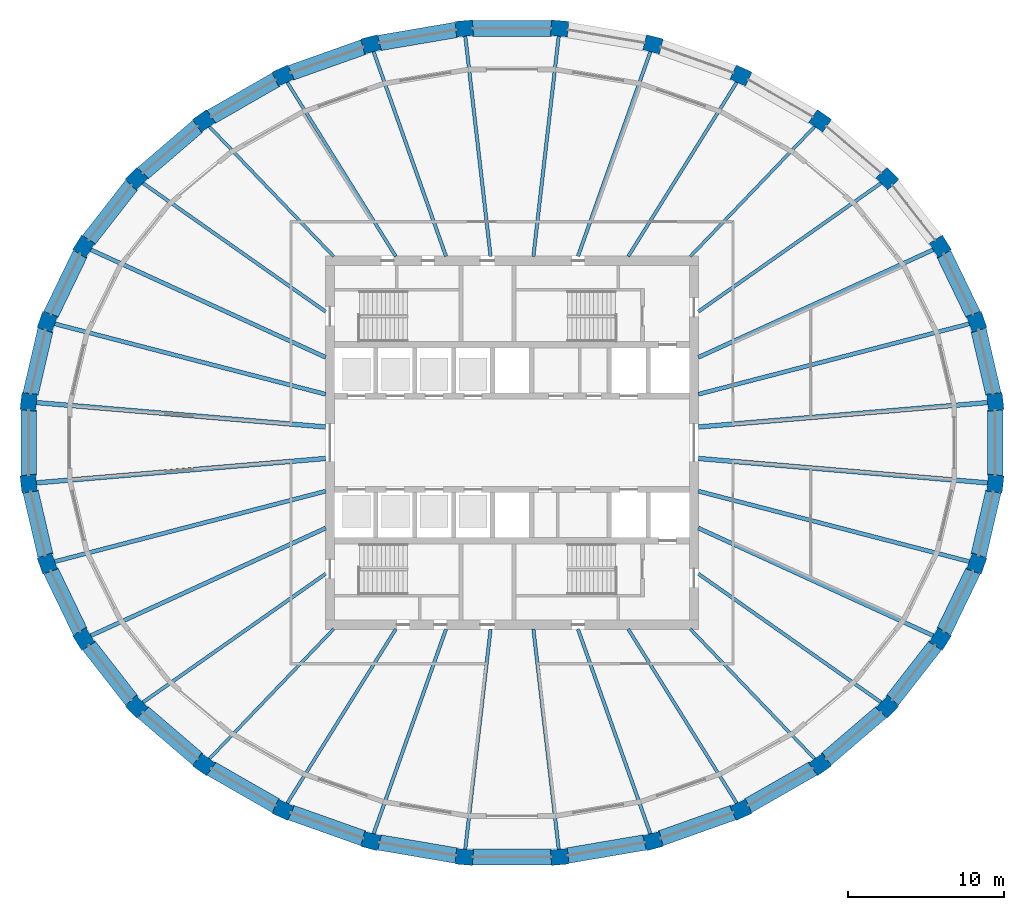
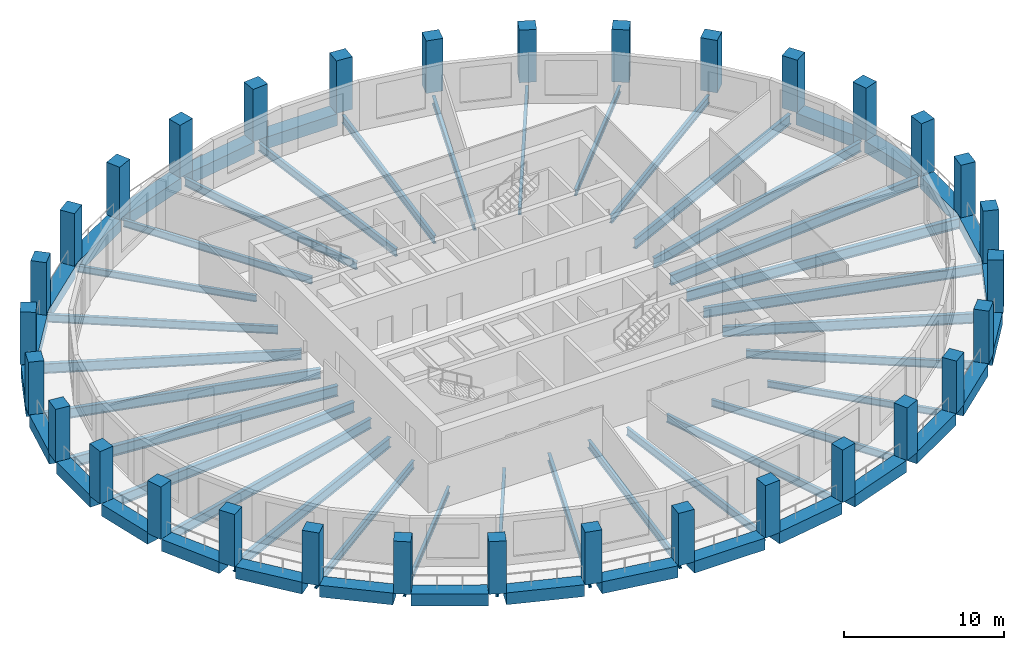
# One storey, part 1 of 10: 59 beams, 32 columns.
"""IFC4 building model written with IfcOpenShell, lengths in metres."""

from ifc_helpers import new_model, si_unit, direction, frame, origin, origin_2d, place, context, subcontext, project, spatial, rectangle, i_section, extrude, material, material_profile, profile_set, type_object, element, save


model = new_model("IFC4")

# Units and contexts
model_context = context("Model", 3, precision=1e-05, world=origin(), true_north=direction((0.0, 1.0)))
body_context = subcontext(model_context, "Body", "Model", "MODEL_VIEW")
ifc_project = project(units=[si_unit("LENGTHUNIT", "METRE"), si_unit("AREAUNIT", "SQUARE_METRE"), si_unit("VOLUMEUNIT", "CUBIC_METRE"), si_unit("PLANEANGLEUNIT", "RADIAN"), si_unit("MASSUNIT", "GRAM", prefix="KILO")], contexts=[model_context])

# Site, building, storey
site_placement = place(None, origin())
site = spatial("IfcSite", under=ifc_project, at=site_placement, CompositionType="ELEMENT")
building_placement = place(site_placement, origin())
building = spatial("IfcBuilding", under=site, at=building_placement, Name="Halqa Exchange Tower", CompositionType="ELEMENT")
storey_placement = place(building_placement, frame((0.0, 0.0, 242.89990234375)))
storey = spatial("IfcBuildingStorey", under=building, at=storey_placement, Name="L56", CompositionType="ELEMENT", Elevation=242.89990234375)

# Columns
ifc_material_1 = material(Name="Concrete C60/75", Category="concrete")
ifc_material_profile_1 = material_profile(ifc_material_1, rectangle(XDim=1.10009765625, YDim=1.0, at=origin_2d()), Name="1100 x 1000")
ifc_profile_set_1 = profile_set([ifc_material_profile_1], Name="Concrete C60/75")
column_type = type_object("IfcColumnType", Name="RC ring column 1100 x 1000 C60/75", PredefinedType="COLUMN", material=ifc_profile_set_1)
for number, where, z_axis, x_axis, name in (
    (1, (31.060302734375, 2.6220703125, 0.0), (0.0, 0.0, 1.0), (-0.114153454138, 0.993463129114, 0.0), "Ring column 1"),
    (2, (29.86669921875, 7.765625, 0.0), (0.0, 0.0, 1.0), (-0.333624233576, 0.942706142321, 0.0), "Ring column 2"),
    (3, (27.525146484375, 12.61083984375, 0.0), (0.0, 0.0, 1.0), (-0.529147901095, 0.848529609835, 0.0), "Ring column 3"),
    (4, (24.1259765625, 16.97119140625, 0.0), (0.0, 0.0, 1.0), (-0.691578612608, 0.722301199351, 0.0), "Ring column 4"),
    (5, (19.7998046875, 20.679443359375, 0.0), (0.0, 0.0, 1.0), (-0.817904771313, 0.575353617407, 0.0), "Ring column 5"),
    (6, (14.71240234375, 23.593017578125, 0.0), (0.0, 0.0, 1.0), (-0.909125641902, 0.416521988898, 0.0), "Ring column 6"),
    (7, (9.059814453125, 25.60009765625, 0.0), (0.0, 0.0, 1.0), (-0.967819503571, 0.251645402317, 0.0), "Ring column 7"),
    (8, (3.05908203125, 26.623046875, 0.0), (0.0, 0.0, 1.0), (-0.996455518985, 0.084121333105, 0.0), "Ring column 8"),
    (9, (-3.05908203125, 26.623046875, 0.0), (0.0, 0.0, 1.0), (-0.996455518985, -0.084121333105, 0.0), "Ring column 9"),
    (10, (-9.059814453125, 25.60009765625, 0.0), (0.0, 0.0, 1.0), (-0.967819503571, -0.251645402317, 0.0), "Ring column 10"),
    (11, (-14.71240234375, 23.593017578125, 0.0), (0.0, 0.0, 1.0), (-0.909125641902, -0.416521988898, 0.0), "Ring column 11"),
    (12, (-19.7998046875, 20.679443359375, 0.0), (0.0, 0.0, 1.0), (-0.817904771313, -0.575353617407, 0.0), "Ring column 12"),
    (13, (-24.1259765625, 16.97119140625, 0.0), (0.0, 0.0, 1.0), (-0.691578612608, -0.722301199351, 0.0), "Ring column 13"),
    (14, (-27.525146484375, 12.61083984375, 0.0), (0.0, 0.0, 1.0), (-0.529147901095, -0.848529609835, 0.0), "Ring column 14"),
    (15, (-29.86669921875, 7.765625, 0.0), (0.0, 0.0, 1.0), (-0.333624233576, -0.942706142321, 0.0), "Ring column 15"),
    (16, (-31.060302734375, 2.6220703125, 0.0), (0.0, 0.0, 1.0), (-0.114153454138, -0.993463129114, 0.0), "Ring column 16"),
    (17, (-31.060302734375, -2.6220703125, 0.0), (0.0, 0.0, 1.0), (0.114153454138, -0.993463129114, 0.0), "Ring column 17"),
    (18, (-29.86669921875, -7.765625, 0.0), (0.0, 0.0, 1.0), (0.333624233576, -0.942706142321, 0.0), "Ring column 18"),
    (19, (-27.525146484375, -12.61083984375, 0.0), (0.0, 0.0, 1.0), (0.529147901095, -0.848529609835, 0.0), "Ring column 19"),
    (20, (-24.1259765625, -16.97119140625, 0.0), (0.0, 0.0, 1.0), (0.691578612608, -0.722301199351, 0.0), "Ring column 20"),
    (21, (-19.7998046875, -20.679443359375, 0.0), (0.0, 0.0, 1.0), (0.817904771313, -0.575353617407, 0.0), "Ring column 21"),
    (22, (-14.71240234375, -23.593017578125, 0.0), (0.0, 0.0, 1.0), (0.909125641902, -0.416521988898, 0.0), "Ring column 22"),
    (23, (-9.059814453125, -25.60009765625, 0.0), (0.0, 0.0, 1.0), (0.967819503571, -0.251645402317, 0.0), "Ring column 23"),
    (24, (-3.05908203125, -26.623046875, 0.0), (0.0, 0.0, 1.0), (0.996455518985, -0.084121333105, 0.0), "Ring column 24"),
    (25, (3.05908203125, -26.623046875, 0.0), (0.0, 0.0, 1.0), (0.996455518985, 0.084121333105, 0.0), "Ring column 25"),
    (26, (9.059814453125, -25.60009765625, 0.0), (0.0, 0.0, 1.0), (0.967819503571, 0.251645402317, 0.0), "Ring column 26"),
    (27, (14.71240234375, -23.593017578125, 0.0), (0.0, 0.0, 1.0), (0.909125641902, 0.416521988898, 0.0), "Ring column 27"),
    (28, (19.7998046875, -20.679443359375, 0.0), (0.0, 0.0, 1.0), (0.817904771313, 0.575353617407, 0.0), "Ring column 28"),
    (29, (24.1259765625, -16.97119140625, 0.0), (0.0, 0.0, 1.0), (0.691578612608, 0.722301199351, 0.0), "Ring column 29"),
    (30, (27.525146484375, -12.61083984375, 0.0), (0.0, 0.0, 1.0), (0.529147901095, 0.848529609835, 0.0), "Ring column 30"),
    (31, (29.86669921875, -7.765625, 0.0), (0.0, 0.0, 1.0), (0.333624233576, 0.942706142321, 0.0), "Ring column 31"),
    (32, (31.060302734375, -2.6220703125, 0.0), (0.0, 0.0, 1.0), (0.114153454138, 0.993463129114, 0.0), "Ring column 32"),
):
    element("IfcColumn", number, at=place(storey_placement, frame(where, z_axis=z_axis, x_axis=x_axis)), inside=storey, type_object=column_type, Name=name, PredefinedType="COLUMN", context=body_context, shape_type="SweptSolid", body=[
        extrude(rectangle(XDim=1.10009765625, YDim=1.0, at=origin_2d()), origin(), (0.0, 0.0, 1.0), 4.0),
    ])

# Beams
ifc_material_2 = material(Name="Steel S355", Category="steel")
ifc_material_profile_2 = material_profile(ifc_material_2, i_section(OverallWidth=0.300048828125, OverallDepth=0.7900390625, WebThickness=0.014892578125, FlangeThickness=0.028076171875, FilletRadius=0.030029296875, at=origin_2d()), Name="HEA 800")
ifc_profile_set_2 = profile_set([ifc_material_profile_2], Name="Steel S355")
beam_type_1 = type_object("IfcBeamType", Name="Floor beam HEA 800", PredefinedType="BEAM", material=ifc_profile_set_2)
for number, where, z_axis, x_axis, name in (
    (33, (11.972412109375, 1.0107421875, -0.69482421875), (0.996455630381, 0.084120013563, 0.0), (-0.084120013563, 0.996455630381, 0.0), "Radial beam 1"),
    (34, (-11.972412109375, 1.0107421875, -0.69482421875), (-0.996455630381, 0.084120013563, 0.0), (-0.084120013563, -0.996455630381, 0.0), "Radial beam 16"),
    (35, (-11.972412109375, -1.0107421875, -0.69482421875), (-0.996455630381, -0.084120013563, 0.0), (0.084120013563, -0.996455630381, 0.0), "Radial beam 17"),
    (36, (11.972412109375, -1.0107421875, -0.69482421875), (0.996455630381, -0.084120013563, 0.0), (0.084120013563, 0.996455630381, 0.0), "Radial beam 32"),
):
    element("IfcBeam", number, at=place(storey_placement, frame(where, z_axis=z_axis, x_axis=x_axis)), inside=storey, type_object=beam_type_1, Name=name, PredefinedType="BEAM", context=body_context, shape_type="SweptSolid", body=[
        extrude(i_section(OverallWidth=0.300048828125, OverallDepth=0.7900390625, WebThickness=0.014892578125, FlangeThickness=0.028076171875, FilletRadius=0.030029296875, at=origin_2d()), origin(), (0.0, 0.0, 1.0), 18.78369140625),
    ])
ifc_material_profile_3 = material_profile(ifc_material_2, i_section(OverallWidth=0.199951171875, OverallDepth=0.5, WebThickness=0.01025390625, FlangeThickness=0.01611328125, FilletRadius=0.02099609375, at=origin_2d()), Name="IPE 500")
ifc_profile_set_3 = profile_set([ifc_material_profile_3], Name="Steel S355")
beam_type_2 = type_object("IfcBeamType", Name="Floor beam IPE 500", PredefinedType="BEAM", material=ifc_profile_set_3)
for number, where, z_axis, x_axis, name in (
    (37, (11.46337890625, 11.972900390625, -0.5498046875), (0.691584726841, 0.722295345133, 0.0), (-0.722295345133, 0.691584726841, 0.0), "Radial beam 5"),
    (38, (-11.46337890625, 11.972900390625, -0.5498046875), (-0.691584726841, 0.722295345133, 0.0), (-0.722295345133, -0.691584726841, 0.0), "Radial beam 12"),
    (39, (-11.46337890625, -11.972900390625, -0.5498046875), (-0.691584726841, -0.722295345133, 0.0), (0.722295345133, -0.691584726841, 0.0), "Radial beam 21"),
    (40, (11.46337890625, -11.972900390625, -0.5498046875), (0.691584726841, -0.722295345133, 0.0), (0.722295345133, 0.691584726841, 0.0), "Radial beam 28"),
):
    element("IfcBeam", number, at=place(storey_placement, frame(where, z_axis=z_axis, x_axis=x_axis)), inside=storey, type_object=beam_type_2, Name=name, PredefinedType="BEAM", context=body_context, shape_type="SweptSolid", body=[
        extrude(i_section(OverallWidth=0.199951171875, OverallDepth=0.5, WebThickness=0.01025390625, FlangeThickness=0.01611328125, FilletRadius=0.02099609375, at=origin_2d()), origin(), (0.0, 0.0, 1.0), 11.67822265625),
    ])
ifc_material_profile_4 = material_profile(ifc_material_2, i_section(OverallWidth=0.2099609375, OverallDepth=0.550048828125, WebThickness=0.010986328125, FlangeThickness=0.01708984375, FilletRadius=0.02392578125, at=origin_2d()), Name="IPE 550")
ifc_profile_set_4 = profile_set([ifc_material_profile_4], Name="Steel S355")
beam_type_3 = type_object("IfcBeamType", Name="Floor beam IPE 550", PredefinedType="BEAM", material=ifc_profile_set_4)
for number, where, z_axis, x_axis, name in (
    (41, (7.46533203125, 11.971435546875, -0.574951171875), (0.529128772744, 0.848541538084, 0.0), (-0.848541538084, 0.529128772744, 0.0), "Radial beam 6"),
    (42, (-7.46533203125, 11.971435546875, -0.574951171875), (-0.529128772744, 0.848541538084, 0.0), (-0.848541538084, -0.529128772744, 0.0), "Radial beam 11"),
    (43, (-7.46533203125, -11.971435546875, -0.574951171875), (-0.529128772744, -0.848541538084, 0.0), (0.848541538084, -0.529128772744, 0.0), "Radial beam 22"),
    (44, (7.46533203125, -11.971435546875, -0.574951171875), (0.529128772744, -0.848541538084, 0.0), (0.848541538084, 0.529128772744, 0.0), "Radial beam 27"),
):
    element("IfcBeam", number, at=place(storey_placement, frame(where, z_axis=z_axis, x_axis=x_axis)), inside=storey, type_object=beam_type_3, Name=name, PredefinedType="BEAM", context=body_context, shape_type="SweptSolid", body=[
        extrude(i_section(OverallWidth=0.2099609375, OverallDepth=0.550048828125, WebThickness=0.010986328125, FlangeThickness=0.01708984375, FilletRadius=0.02392578125, at=origin_2d()), origin(), (0.0, 0.0, 1.0), 13.320068359375),
    ])
ifc_material_profile_5 = material_profile(ifc_material_2, i_section(OverallWidth=0.219970703125, OverallDepth=0.60009765625, WebThickness=0.011962890625, FlangeThickness=0.01904296875, FilletRadius=0.02392578125, at=origin_2d()), Name="IPE 600")
ifc_profile_set_5 = profile_set([ifc_material_profile_5], Name="Steel S355")
beam_type_4 = type_object("IfcBeamType", Name="Floor beam IPE 600", PredefinedType="BEAM", material=ifc_profile_set_5)
beam_1_placement = place(storey_placement, frame((11.972412109375, 8.421875, -0.599853515625), z_axis=(0.817910421288, 0.575345585495, 0.0), x_axis=(-0.575345585495, 0.817910421288, 0.0)))
element("IfcBeam", 45, at=beam_1_placement, inside=storey, type_object=beam_type_4, Name="Radial beam 4", PredefinedType="BEAM", context=body_context, shape_type="SweptSolid", body=[
    extrude(i_section(OverallWidth=0.219970703125, OverallDepth=0.60009765625, WebThickness=0.011962890625, FlangeThickness=0.01904296875, FilletRadius=0.02392578125, at=origin_2d()), origin(), (0.0, 0.0, 1.0), 14.4833984375),
])
beam_2_placement = place(storey_placement, frame((4.23681640625, 11.9716796875, -0.599853515625), z_axis=(0.333623449979, 0.942706419637, 0.0), x_axis=(-0.942706419637, 0.333623449979, 0.0)))
element("IfcBeam", 46, at=beam_2_placement, inside=storey, type_object=beam_type_4, Name="Radial beam 7", PredefinedType="BEAM", context=body_context, shape_type="SweptSolid", body=[
    extrude(i_section(OverallWidth=0.219970703125, OverallDepth=0.60009765625, WebThickness=0.011962890625, FlangeThickness=0.01904296875, FilletRadius=0.02392578125, at=origin_2d()), origin(), (0.0, 0.0, 1.0), 14.08251953125),
])
for number, where, z_axis, x_axis, name in (
    (47, (1.375732421875, 11.972412109375, -0.599853515625), (0.114147707136, 0.993463789454, 0.0), (-0.993463789454, 0.114147707136, 0.0), "Radial beam 8"),
    (48, (-1.375732421875, 11.972412109375, -0.599853515625), (-0.114147707136, 0.993463789454, 0.0), (-0.993463789454, -0.114147707136, 0.0), "Radial beam 9"),
):
    element("IfcBeam", number, at=place(storey_placement, frame(where, z_axis=z_axis, x_axis=x_axis)), inside=storey, type_object=beam_type_4, Name=name, PredefinedType="BEAM", context=body_context, shape_type="SweptSolid", body=[
        extrude(i_section(OverallWidth=0.219970703125, OverallDepth=0.60009765625, WebThickness=0.011962890625, FlangeThickness=0.01904296875, FilletRadius=0.02392578125, at=origin_2d()), origin(), (0.0, 0.0, 1.0), 14.375),
    ])
beam_3_placement = place(storey_placement, frame((-4.23681640625, 11.9716796875, -0.599853515625), z_axis=(-0.333623449979, 0.942706419637, 0.0), x_axis=(-0.942706419637, -0.333623449979, 0.0)))
element("IfcBeam", 49, at=beam_3_placement, inside=storey, type_object=beam_type_4, Name="Radial beam 10", PredefinedType="BEAM", context=body_context, shape_type="SweptSolid", body=[
    extrude(i_section(OverallWidth=0.219970703125, OverallDepth=0.60009765625, WebThickness=0.011962890625, FlangeThickness=0.01904296875, FilletRadius=0.02392578125, at=origin_2d()), origin(), (0.0, 0.0, 1.0), 14.08251953125),
])
for number, where, z_axis, x_axis, name in (
    (50, (-11.972412109375, 8.421875, -0.599853515625), (-0.817910421288, 0.575345585495, 0.0), (-0.575345585495, -0.817910421288, 0.0), "Radial beam 13"),
    (51, (-11.972412109375, -8.421875, -0.599853515625), (-0.817910421288, -0.575345585495, 0.0), (0.575345585495, -0.817910421288, 0.0), "Radial beam 20"),
):
    element("IfcBeam", number, at=place(storey_placement, frame(where, z_axis=z_axis, x_axis=x_axis)), inside=storey, type_object=beam_type_4, Name=name, PredefinedType="BEAM", context=body_context, shape_type="SweptSolid", body=[
        extrude(i_section(OverallWidth=0.219970703125, OverallDepth=0.60009765625, WebThickness=0.011962890625, FlangeThickness=0.01904296875, FilletRadius=0.02392578125, at=origin_2d()), origin(), (0.0, 0.0, 1.0), 14.4833984375),
    ])
beam_4_placement = place(storey_placement, frame((-4.23681640625, -11.9716796875, -0.599853515625), z_axis=(-0.333623449979, -0.942706419637, 0.0), x_axis=(0.942706419637, -0.333623449979, 0.0)))
element("IfcBeam", 52, at=beam_4_placement, inside=storey, type_object=beam_type_4, Name="Radial beam 23", PredefinedType="BEAM", context=body_context, shape_type="SweptSolid", body=[
    extrude(i_section(OverallWidth=0.219970703125, OverallDepth=0.60009765625, WebThickness=0.011962890625, FlangeThickness=0.01904296875, FilletRadius=0.02392578125, at=origin_2d()), origin(), (0.0, 0.0, 1.0), 14.08251953125),
])
for number, where, z_axis, x_axis, name in (
    (53, (-1.375732421875, -11.972412109375, -0.599853515625), (-0.114147707136, -0.993463789454, 0.0), (0.993463789454, -0.114147707136, 0.0), "Radial beam 24"),
    (54, (1.375732421875, -11.972412109375, -0.599853515625), (0.114147707136, -0.993463789454, 0.0), (0.993463789454, 0.114147707136, 0.0), "Radial beam 25"),
):
    element("IfcBeam", number, at=place(storey_placement, frame(where, z_axis=z_axis, x_axis=x_axis)), inside=storey, type_object=beam_type_4, Name=name, PredefinedType="BEAM", context=body_context, shape_type="SweptSolid", body=[
        extrude(i_section(OverallWidth=0.219970703125, OverallDepth=0.60009765625, WebThickness=0.011962890625, FlangeThickness=0.01904296875, FilletRadius=0.02392578125, at=origin_2d()), origin(), (0.0, 0.0, 1.0), 14.375),
    ])
beam_5_placement = place(storey_placement, frame((4.23681640625, -11.9716796875, -0.599853515625), z_axis=(0.333623449979, -0.942706419637, 0.0), x_axis=(0.942706419637, 0.333623449979, 0.0)))
element("IfcBeam", 55, at=beam_5_placement, inside=storey, type_object=beam_type_4, Name="Radial beam 26", PredefinedType="BEAM", context=body_context, shape_type="SweptSolid", body=[
    extrude(i_section(OverallWidth=0.219970703125, OverallDepth=0.60009765625, WebThickness=0.011962890625, FlangeThickness=0.01904296875, FilletRadius=0.02392578125, at=origin_2d()), origin(), (0.0, 0.0, 1.0), 14.08251953125),
])
beam_6_placement = place(storey_placement, frame((11.972412109375, -8.421875, -0.599853515625), z_axis=(0.817910421288, -0.575345585495, 0.0), x_axis=(0.575345585495, 0.817910421288, 0.0)))
element("IfcBeam", 56, at=beam_6_placement, inside=storey, type_object=beam_type_4, Name="Radial beam 29", PredefinedType="BEAM", context=body_context, shape_type="SweptSolid", body=[
    extrude(i_section(OverallWidth=0.219970703125, OverallDepth=0.60009765625, WebThickness=0.011962890625, FlangeThickness=0.01904296875, FilletRadius=0.02392578125, at=origin_2d()), origin(), (0.0, 0.0, 1.0), 14.4833984375),
])
ifc_material_profile_6 = material_profile(ifc_material_2, i_section(OverallWidth=0.264892578125, OverallDepth=0.7529296875, WebThickness=0.01318359375, FlangeThickness=0.01708984375, FilletRadius=0.01708984375, at=origin_2d()), Name="IPE 750x147")
ifc_profile_set_6 = profile_set([ifc_material_profile_6], Name="Steel S355")
beam_type_5 = type_object("IfcBeamType", Name="Floor beam IPE 750x147", PredefinedType="BEAM", material=ifc_profile_set_6)
beam_7_placement = place(storey_placement, frame((11.97265625, 3.113037109375, -0.676513671875), z_axis=(0.967818764949, 0.251648243015, 0.0), x_axis=(-0.251648243015, 0.967818764949, 0.0)))
element("IfcBeam", 57, at=beam_7_placement, inside=storey, type_object=beam_type_5, Name="Radial beam 2", PredefinedType="BEAM", context=body_context, shape_type="SweptSolid", body=[
    extrude(i_section(OverallWidth=0.264892578125, OverallDepth=0.7529296875, WebThickness=0.01318359375, FlangeThickness=0.01708984375, FilletRadius=0.01708984375, at=origin_2d()), origin(), (0.0, 0.0, 1.0), 18.114990234375),
])
for number, where, z_axis, x_axis, name in (
    (58, (11.972412109375, 5.4853515625, -0.676513671875), (0.909131134199, 0.416510000876, 0.0), (-0.416510000876, 0.909131134199, 0.0), "Radial beam 3"),
    (59, (-11.972412109375, 5.4853515625, -0.676513671875), (-0.909131134199, 0.416510000876, 0.0), (-0.416510000876, -0.909131134199, 0.0), "Radial beam 14"),
):
    element("IfcBeam", number, at=place(storey_placement, frame(where, z_axis=z_axis, x_axis=x_axis)), inside=storey, type_object=beam_type_5, Name=name, PredefinedType="BEAM", context=body_context, shape_type="SweptSolid", body=[
        extrude(i_section(OverallWidth=0.264892578125, OverallDepth=0.7529296875, WebThickness=0.01318359375, FlangeThickness=0.01708984375, FilletRadius=0.01708984375, at=origin_2d()), origin(), (0.0, 0.0, 1.0), 16.731201171875),
    ])
for number, where, z_axis, x_axis, name in (
    (60, (-11.97265625, 3.113037109375, -0.676513671875), (-0.967818764949, 0.251648243015, 0.0), (-0.251648243015, -0.967818764949, 0.0), "Radial beam 15"),
    (61, (-11.97265625, -3.113037109375, -0.676513671875), (-0.967818764949, -0.251648243015, 0.0), (0.251648243015, -0.967818764949, 0.0), "Radial beam 18"),
):
    element("IfcBeam", number, at=place(storey_placement, frame(where, z_axis=z_axis, x_axis=x_axis)), inside=storey, type_object=beam_type_5, Name=name, PredefinedType="BEAM", context=body_context, shape_type="SweptSolid", body=[
        extrude(i_section(OverallWidth=0.264892578125, OverallDepth=0.7529296875, WebThickness=0.01318359375, FlangeThickness=0.01708984375, FilletRadius=0.01708984375, at=origin_2d()), origin(), (0.0, 0.0, 1.0), 18.114990234375),
    ])
for number, where, z_axis, x_axis, name in (
    (62, (-11.972412109375, -5.4853515625, -0.676513671875), (-0.909131134199, -0.416510000876, 0.0), (0.416510000876, -0.909131134199, 0.0), "Radial beam 19"),
    (63, (11.972412109375, -5.4853515625, -0.676513671875), (0.909131134199, -0.416510000876, 0.0), (0.416510000876, 0.909131134199, 0.0), "Radial beam 30"),
):
    element("IfcBeam", number, at=place(storey_placement, frame(where, z_axis=z_axis, x_axis=x_axis)), inside=storey, type_object=beam_type_5, Name=name, PredefinedType="BEAM", context=body_context, shape_type="SweptSolid", body=[
        extrude(i_section(OverallWidth=0.264892578125, OverallDepth=0.7529296875, WebThickness=0.01318359375, FlangeThickness=0.01708984375, FilletRadius=0.01708984375, at=origin_2d()), origin(), (0.0, 0.0, 1.0), 16.731201171875),
    ])
beam_8_placement = place(storey_placement, frame((11.97265625, -3.113037109375, -0.676513671875), z_axis=(0.967818764949, -0.251648243015, 0.0), x_axis=(0.251648243015, 0.967818764949, 0.0)))
element("IfcBeam", 64, at=beam_8_placement, inside=storey, type_object=beam_type_5, Name="Radial beam 31", PredefinedType="BEAM", context=body_context, shape_type="SweptSolid", body=[
    extrude(i_section(OverallWidth=0.264892578125, OverallDepth=0.7529296875, WebThickness=0.01318359375, FlangeThickness=0.01708984375, FilletRadius=0.01708984375, at=origin_2d()), origin(), (0.0, 0.0, 1.0), 18.114990234375),
])
ifc_material_profile_7 = material_profile(ifc_material_1, rectangle(XDim=1.0, YDim=0.89990234375, at=origin_2d()), Name="1000 x 900")
ifc_profile_set_7 = profile_set([ifc_material_profile_7], Name="Concrete C60/75")
beam_type_6 = type_object("IfcBeamType", Name="RC spandrel beam 1000 x 900 C60/75", PredefinedType="SPANDREL", material=ifc_profile_set_7)
beam_9_placement = place(storey_placement, frame((30.941650390625, 3.13330078125, -0.449951171875), z_axis=(-0.226039726133, 0.974118084325, 0.0), x_axis=(-0.974118084325, -0.226039726133, 0.0)))
element("IfcBeam", 65, at=beam_9_placement, inside=storey, type_object=beam_type_6, Name="Spandrel 1", PredefinedType="SPANDREL", context=body_context, shape_type="SweptSolid", body=[
    extrude(rectangle(XDim=1.0, YDim=0.89990234375, at=origin_2d()), origin(), (0.0, 0.0, 1.0), 4.2294921875),
])
beam_10_placement = place(storey_placement, frame((29.63818359375, 8.238525390625, -0.449951171875), z_axis=(-0.435106956981, 0.900378773621, 0.0), x_axis=(-0.900378773621, -0.435106956981, 0.0)))
element("IfcBeam", 66, at=beam_10_placement, inside=storey, type_object=beam_type_6, Name="Spandrel 2", PredefinedType="SPANDREL", context=body_context, shape_type="SweptSolid", body=[
    extrude(rectangle(XDim=1.0, YDim=0.89990234375, at=origin_2d()), origin(), (0.0, 0.0, 1.0), 4.330078125),
])
beam_11_placement = place(storey_placement, frame((2.535400390625, 26.623046875, -0.449951171875), z_axis=(-1.0, 0.0, 0.0), x_axis=(0.0, -1.0, 0.0)))
element("IfcBeam", 67, at=beam_11_placement, inside=storey, type_object=beam_type_6, Name="Spandrel 8", PredefinedType="SPANDREL", context=body_context, shape_type="SweptSolid", body=[
    extrude(rectangle(XDim=1.0, YDim=0.89990234375, at=origin_2d()), origin(), (0.0, 0.0, 1.0), 5.07080078125),
])
beam_12_placement = place(storey_placement, frame((-3.57568359375, 26.534912109375, -0.449951171875), z_axis=(-0.985775605401, -0.16806681944, 0.0), x_axis=(0.16806681944, -0.985775605401, 0.0)))
element("IfcBeam", 68, at=beam_12_placement, inside=storey, type_object=beam_type_6, Name="Spandrel 9", PredefinedType="SPANDREL", context=body_context, shape_type="SweptSolid", body=[
    extrude(rectangle(XDim=1.0, YDim=0.89990234375, at=origin_2d()), origin(), (0.0, 0.0, 1.0), 5.039306640625),
])
beam_13_placement = place(storey_placement, frame((-9.554443359375, 25.42431640625, -0.449951171875), z_axis=(-0.94237407927, -0.334561047822, 0.0), x_axis=(0.334561047822, -0.94237407927, 0.0)))
element("IfcBeam", 69, at=beam_13_placement, inside=storey, type_object=beam_type_6, Name="Spandrel 10", PredefinedType="SPANDREL", context=body_context, shape_type="SweptSolid", body=[
    extrude(rectangle(XDim=1.0, YDim=0.89990234375, at=origin_2d()), origin(), (0.0, 0.0, 1.0), 4.94970703125),
])
beam_14_placement = place(storey_placement, frame((-15.167724609375, 23.33251953125, -0.449951171875), z_axis=(-0.8677465318, -0.497006998491, 0.0), x_axis=(0.497006998491, -0.8677465318, 0.0)))
element("IfcBeam", 70, at=beam_14_placement, inside=storey, type_object=beam_type_6, Name="Spandrel 11", PredefinedType="SPANDREL", context=body_context, shape_type="SweptSolid", body=[
    extrude(rectangle(XDim=1.0, YDim=0.89990234375, at=origin_2d()), origin(), (0.0, 0.0, 1.0), 4.814453125),
])
beam_15_placement = place(storey_placement, frame((-20.197998046875, 20.337890625, -0.449951171875), z_axis=(-0.759267722395, -0.650778399864, 0.0), x_axis=(0.650778399864, -0.759267722395, 0.0)))
element("IfcBeam", 71, at=beam_15_placement, inside=storey, type_object=beam_type_6, Name="Spandrel 12", PredefinedType="SPANDREL", context=body_context, shape_type="SweptSolid", body=[
    extrude(rectangle(XDim=1.0, YDim=0.89990234375, at=origin_2d()), origin(), (0.0, 0.0, 1.0), 4.649169921875),
])
beam_16_placement = place(storey_placement, frame((-24.448974609375, 16.556884765625, -0.449951171875), z_axis=(-0.614827074471, -0.788661948174, 0.0), x_axis=(0.788661948174, -0.614827074471, 0.0)))
element("IfcBeam", 72, at=beam_16_placement, inside=storey, type_object=beam_type_6, Name="Spandrel 13", PredefinedType="SPANDREL", context=body_context, shape_type="SweptSolid", body=[
    extrude(rectangle(XDim=1.0, YDim=0.89990234375, at=origin_2d()), origin(), (0.0, 0.0, 1.0), 4.478759765625),
])
beam_17_placement = place(storey_placement, frame((-27.754150390625, 12.13720703125, -0.449951171875), z_axis=(-0.435106956981, -0.900378773621, 0.0), x_axis=(0.900378773621, -0.435106956981, 0.0)))
element("IfcBeam", 73, at=beam_17_placement, inside=storey, type_object=beam_type_6, Name="Spandrel 14", PredefinedType="SPANDREL", context=body_context, shape_type="SweptSolid", body=[
    extrude(rectangle(XDim=1.0, YDim=0.89990234375, at=origin_2d()), origin(), (0.0, 0.0, 1.0), 4.330078125),
])
beam_18_placement = place(storey_placement, frame((-29.985595703125, 7.25341796875, -0.449951171875), z_axis=(-0.226039726133, -0.974118084325, 0.0), x_axis=(0.974118084325, -0.226039726133, 0.0)))
element("IfcBeam", 74, at=beam_18_placement, inside=storey, type_object=beam_type_6, Name="Spandrel 15", PredefinedType="SPANDREL", context=body_context, shape_type="SweptSolid", body=[
    extrude(rectangle(XDim=1.0, YDim=0.89990234375, at=origin_2d()), origin(), (0.0, 0.0, 1.0), 4.2294921875),
])
beam_19_placement = place(storey_placement, frame((-31.060302734375, 2.09716796875, -0.449951171875), z_axis=(0.0, -1.0, 0.0), x_axis=(1.0, 0.0, 0.0)))
element("IfcBeam", 75, at=beam_19_placement, inside=storey, type_object=beam_type_6, Name="Spandrel 16", PredefinedType="SPANDREL", context=body_context, shape_type="SweptSolid", body=[
    extrude(rectangle(XDim=1.0, YDim=0.89990234375, at=origin_2d()), origin(), (0.0, 0.0, 1.0), 4.1943359375),
])
beam_20_placement = place(storey_placement, frame((-30.941650390625, -3.13330078125, -0.449951171875), z_axis=(0.226039726133, -0.974118084325, 0.0), x_axis=(0.974118084325, 0.226039726133, 0.0)))
element("IfcBeam", 76, at=beam_20_placement, inside=storey, type_object=beam_type_6, Name="Spandrel 17", PredefinedType="SPANDREL", context=body_context, shape_type="SweptSolid", body=[
    extrude(rectangle(XDim=1.0, YDim=0.89990234375, at=origin_2d()), origin(), (0.0, 0.0, 1.0), 4.2294921875),
])
beam_21_placement = place(storey_placement, frame((-29.63818359375, -8.238525390625, -0.449951171875), z_axis=(0.435106956981, -0.900378773621, 0.0), x_axis=(0.900378773621, 0.435106956981, 0.0)))
element("IfcBeam", 77, at=beam_21_placement, inside=storey, type_object=beam_type_6, Name="Spandrel 18", PredefinedType="SPANDREL", context=body_context, shape_type="SweptSolid", body=[
    extrude(rectangle(XDim=1.0, YDim=0.89990234375, at=origin_2d()), origin(), (0.0, 0.0, 1.0), 4.330078125),
])
beam_22_placement = place(storey_placement, frame((-27.20263671875, -13.024658203125, -0.449951171875), z_axis=(0.614827074471, -0.788661948174, 0.0), x_axis=(0.788661948174, 0.614827074471, 0.0)))
element("IfcBeam", 78, at=beam_22_placement, inside=storey, type_object=beam_type_6, Name="Spandrel 19", PredefinedType="SPANDREL", context=body_context, shape_type="SweptSolid", body=[
    extrude(rectangle(XDim=1.0, YDim=0.89990234375, at=origin_2d()), origin(), (0.0, 0.0, 1.0), 4.478759765625),
])
beam_23_placement = place(storey_placement, frame((-23.72802734375, -17.312255859375, -0.449951171875), z_axis=(0.759267722395, -0.650778399864, 0.0), x_axis=(0.650778399864, 0.759267722395, 0.0)))
element("IfcBeam", 79, at=beam_23_placement, inside=storey, type_object=beam_type_6, Name="Spandrel 20", PredefinedType="SPANDREL", context=body_context, shape_type="SweptSolid", body=[
    extrude(rectangle(XDim=1.0, YDim=0.89990234375, at=origin_2d()), origin(), (0.0, 0.0, 1.0), 4.649169921875),
])
beam_24_placement = place(storey_placement, frame((-19.345458984375, -20.939697265625, -0.449951171875), z_axis=(0.8677465318, -0.497006998491, 0.0), x_axis=(0.497006998491, 0.8677465318, 0.0)))
element("IfcBeam", 80, at=beam_24_placement, inside=storey, type_object=beam_type_6, Name="Spandrel 21", PredefinedType="SPANDREL", context=body_context, shape_type="SweptSolid", body=[
    extrude(rectangle(XDim=1.0, YDim=0.89990234375, at=origin_2d()), origin(), (0.0, 0.0, 1.0), 4.814453125),
])
beam_25_placement = place(storey_placement, frame((-14.218994140625, -23.768310546875, -0.449951171875), z_axis=(0.94237407927, -0.334561047822, 0.0), x_axis=(0.334561047822, 0.94237407927, 0.0)))
element("IfcBeam", 81, at=beam_25_placement, inside=storey, type_object=beam_type_6, Name="Spandrel 22", PredefinedType="SPANDREL", context=body_context, shape_type="SweptSolid", body=[
    extrude(rectangle(XDim=1.0, YDim=0.89990234375, at=origin_2d()), origin(), (0.0, 0.0, 1.0), 4.94970703125),
])
beam_26_placement = place(storey_placement, frame((-8.543212890625, -25.68798828125, -0.449951171875), z_axis=(0.985775605401, -0.16806681944, 0.0), x_axis=(0.16806681944, 0.985775605401, 0.0)))
element("IfcBeam", 82, at=beam_26_placement, inside=storey, type_object=beam_type_6, Name="Spandrel 23", PredefinedType="SPANDREL", context=body_context, shape_type="SweptSolid", body=[
    extrude(rectangle(XDim=1.0, YDim=0.89990234375, at=origin_2d()), origin(), (0.0, 0.0, 1.0), 5.039306640625),
])
beam_27_placement = place(storey_placement, frame((-2.535400390625, -26.623046875, -0.449951171875), z_axis=(1.0, 0.0, 0.0), x_axis=(0.0, 1.0, 0.0)))
element("IfcBeam", 83, at=beam_27_placement, inside=storey, type_object=beam_type_6, Name="Spandrel 24", PredefinedType="SPANDREL", context=body_context, shape_type="SweptSolid", body=[
    extrude(rectangle(XDim=1.0, YDim=0.89990234375, at=origin_2d()), origin(), (0.0, 0.0, 1.0), 5.07080078125),
])
beam_28_placement = place(storey_placement, frame((3.57568359375, -26.534912109375, -0.449951171875), z_axis=(0.985775605401, 0.16806681944, 0.0), x_axis=(-0.16806681944, 0.985775605401, 0.0)))
element("IfcBeam", 84, at=beam_28_placement, inside=storey, type_object=beam_type_6, Name="Spandrel 25", PredefinedType="SPANDREL", context=body_context, shape_type="SweptSolid", body=[
    extrude(rectangle(XDim=1.0, YDim=0.89990234375, at=origin_2d()), origin(), (0.0, 0.0, 1.0), 5.039306640625),
])
beam_29_placement = place(storey_placement, frame((9.554443359375, -25.42431640625, -0.449951171875), z_axis=(0.94237407927, 0.334561047822, 0.0), x_axis=(-0.334561047822, 0.94237407927, 0.0)))
element("IfcBeam", 85, at=beam_29_placement, inside=storey, type_object=beam_type_6, Name="Spandrel 26", PredefinedType="SPANDREL", context=body_context, shape_type="SweptSolid", body=[
    extrude(rectangle(XDim=1.0, YDim=0.89990234375, at=origin_2d()), origin(), (0.0, 0.0, 1.0), 4.94970703125),
])
beam_30_placement = place(storey_placement, frame((15.167724609375, -23.33251953125, -0.449951171875), z_axis=(0.8677465318, 0.497006998491, 0.0), x_axis=(-0.497006998491, 0.8677465318, 0.0)))
element("IfcBeam", 86, at=beam_30_placement, inside=storey, type_object=beam_type_6, Name="Spandrel 27", PredefinedType="SPANDREL", context=body_context, shape_type="SweptSolid", body=[
    extrude(rectangle(XDim=1.0, YDim=0.89990234375, at=origin_2d()), origin(), (0.0, 0.0, 1.0), 4.814453125),
])
beam_31_placement = place(storey_placement, frame((20.197998046875, -20.337890625, -0.449951171875), z_axis=(0.759267722395, 0.650778399864, 0.0), x_axis=(-0.650778399864, 0.759267722395, 0.0)))
element("IfcBeam", 87, at=beam_31_placement, inside=storey, type_object=beam_type_6, Name="Spandrel 28", PredefinedType="SPANDREL", context=body_context, shape_type="SweptSolid", body=[
    extrude(rectangle(XDim=1.0, YDim=0.89990234375, at=origin_2d()), origin(), (0.0, 0.0, 1.0), 4.649169921875),
])
beam_32_placement = place(storey_placement, frame((24.448974609375, -16.556884765625, -0.449951171875), z_axis=(0.614827074471, 0.788661948174, 0.0), x_axis=(-0.788661948174, 0.614827074471, 0.0)))
element("IfcBeam", 88, at=beam_32_placement, inside=storey, type_object=beam_type_6, Name="Spandrel 29", PredefinedType="SPANDREL", context=body_context, shape_type="SweptSolid", body=[
    extrude(rectangle(XDim=1.0, YDim=0.89990234375, at=origin_2d()), origin(), (0.0, 0.0, 1.0), 4.478759765625),
])
beam_33_placement = place(storey_placement, frame((27.754150390625, -12.13720703125, -0.449951171875), z_axis=(0.435106956981, 0.900378773621, 0.0), x_axis=(-0.900378773621, 0.435106956981, 0.0)))
element("IfcBeam", 89, at=beam_33_placement, inside=storey, type_object=beam_type_6, Name="Spandrel 30", PredefinedType="SPANDREL", context=body_context, shape_type="SweptSolid", body=[
    extrude(rectangle(XDim=1.0, YDim=0.89990234375, at=origin_2d()), origin(), (0.0, 0.0, 1.0), 4.330078125),
])
beam_34_placement = place(storey_placement, frame((29.985595703125, -7.25341796875, -0.449951171875), z_axis=(0.226039726133, 0.974118084325, 0.0), x_axis=(-0.974118084325, 0.226039726133, 0.0)))
element("IfcBeam", 90, at=beam_34_placement, inside=storey, type_object=beam_type_6, Name="Spandrel 31", PredefinedType="SPANDREL", context=body_context, shape_type="SweptSolid", body=[
    extrude(rectangle(XDim=1.0, YDim=0.89990234375, at=origin_2d()), origin(), (0.0, 0.0, 1.0), 4.2294921875),
])
beam_35_placement = place(storey_placement, frame((31.060302734375, -2.09716796875, -0.449951171875), z_axis=(0.0, 1.0, 0.0), x_axis=(-1.0, 0.0, 0.0)))
element("IfcBeam", 91, at=beam_35_placement, inside=storey, type_object=beam_type_6, Name="Spandrel 32", PredefinedType="SPANDREL", context=body_context, shape_type="SweptSolid", body=[
    extrude(rectangle(XDim=1.0, YDim=0.89990234375, at=origin_2d()), origin(), (0.0, 0.0, 1.0), 4.1943359375),
])

save(model, "model.ifc")
